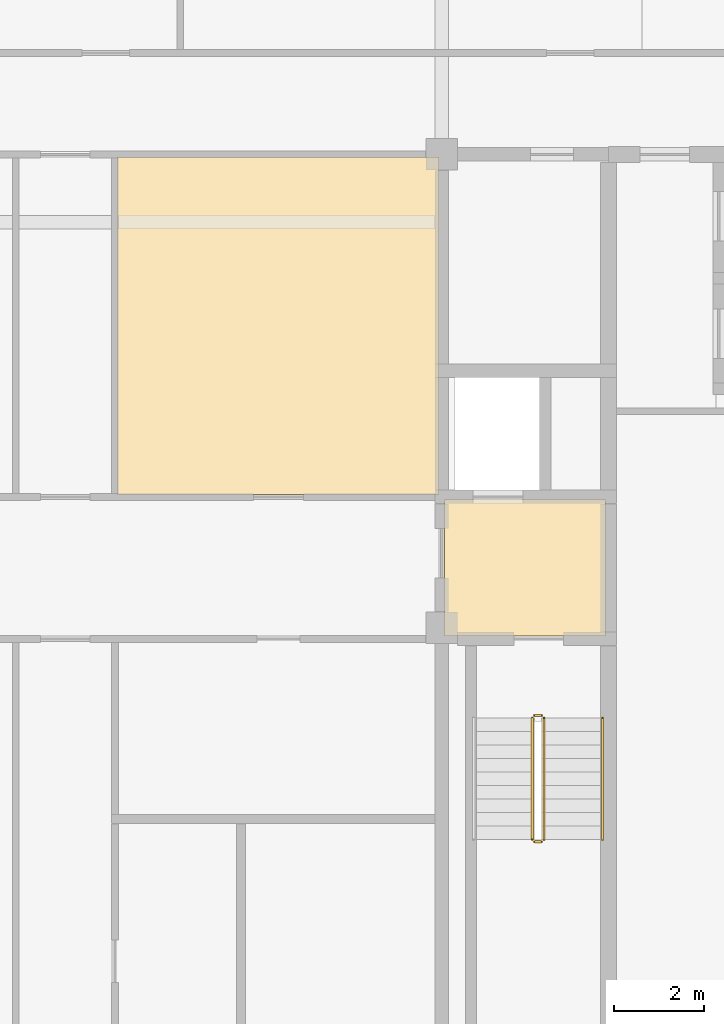
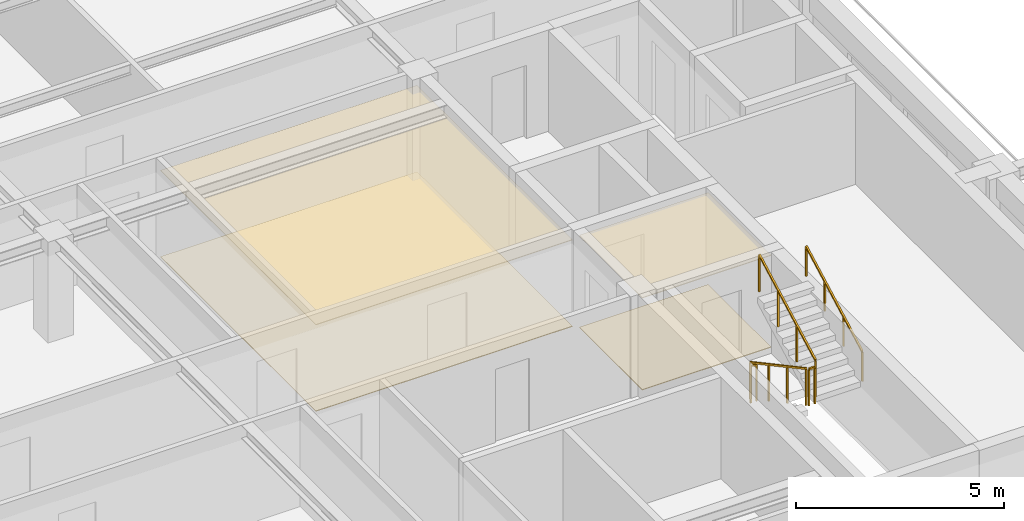
# One storey, part 10 of 11: 5 railings, 4 coverings.
"""IFC4 building model written with IfcOpenShell, lengths in metres."""

import ifcopenshell
import ifcopenshell.guid

model = None  # the IFC model being written
_history = None  # IfcOwnerHistory: only IFC2X3 demands one
_inside = {}  # id of a spatial element -> (the spatial element, [elements in it])
_under = {}  # id of a project, library or spatial element -> (it, [spatial elements below it])
_declared = {}  # id of a project -> (the project, [libraries it declares])
_typed = {}  # id of a type object -> (the type object, [elements of that type])
_made_of = {}  # id of a material, layer set ... -> (it, [elements and type objects made of it])


def new_model(schema):
    """Start an empty IFC model of exactly this schema.

    Asked for "IFC4X3", IfcOpenShell would pick the latest addendum, in which some entities
    have other attributes; the version numbers below select the first issue.
    IFC2X3 requires an IfcOwnerHistory on every rooted entity: one is made here for all.
    """
    global model, _history
    if schema == "IFC4X3":
        model = ifcopenshell.file(schema_version=(4, 3, 0, 0))
    else:
        model = ifcopenshell.file(schema=schema)
    _inside.clear()
    _under.clear()
    _declared.clear()
    _typed.clear()
    _made_of.clear()
    _history = None
    if model.schema == "IFC2X3":
        org = make("IfcOrganization", Name="unknown")
        user = make(
            "IfcPersonAndOrganization",
            ThePerson=make("IfcPerson", FamilyName="unknown"),
            TheOrganization=org,
        )
        app = make(
            "IfcApplication",
            ApplicationDeveloper=org,
            Version="unknown",
            ApplicationFullName="unknown",
            ApplicationIdentifier="unknown",
        )
        _history = make(
            "IfcOwnerHistory",
            OwningUser=user,
            OwningApplication=app,
            ChangeAction="ADDED",
            CreationDate=0,
        )
    return model


def make(cls, **values):
    """One entity of the class cls with the attributes given. An attribute that is None is left unset."""
    return model.create_entity(
        cls, **{name: value for name, value in values.items() if value is not None}
    )


def rooted(cls, **values):
    """An entity with a GlobalId (a new one), such as an element, a storey or a relation."""
    return make(cls, GlobalId=ifcopenshell.guid.new(), OwnerHistory=_history, **values)


def si_unit(unit_type, name, prefix=None):
    """IfcSIUnit, for example si_unit("LENGTHUNIT", "METRE", prefix="MILLI")."""
    return make("IfcSIUnit", UnitType=unit_type, Prefix=prefix, Name=name)


def assignment(units):
    """IfcUnitAssignment: the units of a project."""
    return None if units is None else make("IfcUnitAssignment", Units=units)


def point(xyz):
    """IfcCartesianPoint."""
    return None if xyz is None else make("IfcCartesianPoint", Coordinates=xyz)


def direction(xyz):
    """IfcDirection."""
    return None if xyz is None else make("IfcDirection", DirectionRatios=xyz)


def frame(location, z_axis=None, x_axis=None):
    """IfcAxis2Placement3D, a coordinate frame: its origin and axes. An axis left out is left unset."""
    return make(
        "IfcAxis2Placement3D",
        Location=point(location),
        Axis=direction(z_axis),
        RefDirection=direction(x_axis),
    )


def frame_2d(location, x_axis=None):
    """IfcAxis2Placement2D, a coordinate frame in the plane: its origin and x axis."""
    return make(
        "IfcAxis2Placement2D", Location=point(location), RefDirection=direction(x_axis)
    )


def origin():
    """The frame at (0, 0, 0) with its axes left unset."""
    return frame((0.0, 0.0, 0.0))


def origin_2d():
    """The frame at (0, 0) in the plane with its x axis left unset."""
    return frame_2d((0.0, 0.0))


def place(relative_to, where):
    """IfcLocalPlacement: puts the frame where relative to a parent placement (None: the world)."""
    return make(
        "IfcLocalPlacement", PlacementRelTo=relative_to, RelativePlacement=where
    )


def context(
    kind, dimensions, precision=None, world=None, true_north=None, identifier=None
):
    """IfcGeometricRepresentationContext, for example the 3D "Model" context."""
    return make(
        "IfcGeometricRepresentationContext",
        ContextIdentifier=identifier,
        ContextType=kind,
        CoordinateSpaceDimension=dimensions,
        Precision=precision,
        WorldCoordinateSystem=world,
        TrueNorth=true_north,
    )


def subcontext(parent, identifier, kind, view, scale=None):
    """IfcGeometricRepresentationSubContext, for example "Body" below "Model"."""
    return make(
        "IfcGeometricRepresentationSubContext",
        ContextIdentifier=identifier,
        ContextType=kind,
        ParentContext=parent,
        TargetScale=scale,
        TargetView=view,
    )


def project(units=None, contexts=None):
    """IfcProject with its units and contexts."""
    return rooted(
        "IfcProject",
        Name="project",
        RepresentationContexts=contexts,
        UnitsInContext=assignment(units),
    )


def spatial(cls, under=None, at=None, **own):
    """A site, building, storey or space (cls), placed at a placement, below another one or the project."""
    s = rooted(cls, ObjectPlacement=at, **own)
    if under is not None:
        _under.setdefault(under.id(), (under, []))[1].append(s)
    return s


def polyline(points):
    """IfcPolyline through the points."""
    return make("IfcPolyline", Points=[point(p) for p in points])


def profile(cls, at=None, kind="AREA", **sizes):
    """A parametric profile (cls). Its sizes go by their IFC names, for example OverallWidth=200.0."""
    return make(cls, ProfileType=kind, Position=at, **sizes)


def rectangle(**sizes):
    """IfcRectangleProfileDef."""
    return profile("IfcRectangleProfileDef", **sizes)


def outline(outer, holes=None, kind="AREA"):
    """IfcArbitraryClosedProfileDef: a profile drawn as a closed curve; with holes, ...WithVoids."""
    if holes is None:
        return make("IfcArbitraryClosedProfileDef", ProfileType=kind, OuterCurve=outer)
    return make(
        "IfcArbitraryProfileDefWithVoids",
        ProfileType=kind,
        OuterCurve=outer,
        InnerCurves=holes,
    )


def extrude(swept, where, along, depth):
    """IfcExtrudedAreaSolid: the profile swept, set in the frame where, extruded along a direction by depth."""
    return make(
        "IfcExtrudedAreaSolid",
        SweptArea=swept,
        Position=where,
        ExtrudedDirection=direction(along),
        Depth=depth,
    )


def shape(context_of_items, identifier, shape_type, items):
    """IfcShapeRepresentation: the items that make up one representation, for example the "Body"."""
    return make(
        "IfcShapeRepresentation",
        ContextOfItems=context_of_items,
        RepresentationIdentifier=identifier,
        RepresentationType=shape_type,
        Items=items,
    )


def material(Name=None, Category=None):
    """IfcMaterial."""
    return make("IfcMaterial", Name=Name, Category=Category)


def layer(
    of_material, thickness, ventilated=None, Name=None, Category=None, Priority=None
):
    """IfcMaterialLayer: one layer of a wall or slab, of a material (None: an air gap)."""
    return make(
        "IfcMaterialLayer",
        Material=of_material,
        LayerThickness=thickness,
        IsVentilated=ventilated,
        Name=Name,
        Category=Category,
        Priority=Priority,
    )


def layer_set(layers, Name=None):
    """IfcMaterialLayerSet."""
    return make("IfcMaterialLayerSet", MaterialLayers=layers, LayerSetName=Name)


def made_of(thing, what):
    """Note that an element or type object is made of a material, layer set ...; save() writes the relation."""
    if what is not None:
        _made_of.setdefault(what.id(), (what, []))[1].append(thing)
    return thing


def type_object(cls, material=None, **own):
    """A type object (cls), such as IfcWallType, which elements share."""
    return made_of(rooted(cls, **own), material)


def element(
    cls,
    number,
    at=None,
    inside=None,
    cuts=None,
    type_object=None,
    material=None,
    context=None,
    identifier="Body",
    shape_type=None,
    held_by="IfcProductDefinitionShape",
    body=None,
    shapes=None,
    **own,
):
    """One element of the class cls, such as IfcWall. Its Tag is "e" and its number.

    at: its placement. inside: the storey or other place that contains it. cuts: it is an
    opening in that element (IfcRelVoidsElement). A single representation is given by context,
    identifier, shape_type and body (its items); several are given by shapes. held_by: the class
    of the entity that holds the representations. save() writes the other relations.
    """
    e = rooted(cls, Tag="e%d" % number, ObjectPlacement=at, **own)
    if body is not None:
        shapes = [shape(context, identifier, shape_type, body)]
    if shapes is not None:
        e.Representation = make(held_by, Representations=shapes)
    if inside is not None:
        _inside.setdefault(inside.id(), (inside, []))[1].append(e)
    if cuts is not None:
        rooted(
            "IfcRelVoidsElement", RelatingBuildingElement=cuts, RelatedOpeningElement=e
        )
    if type_object is not None:
        _typed.setdefault(type_object.id(), (type_object, []))[1].append(e)
    return made_of(e, material)


def aggregate(whole, parts):
    """IfcRelAggregates: a whole, such as a stair, and the parts it consists of."""
    return rooted("IfcRelAggregates", RelatingObject=whole, RelatedObjects=parts)


def save(model, path):
    """Write the relations noted so far, then the file.

    IfcRelAggregates (storeys below a building ...), IfcRelContainedInSpatialStructure (elements
    in a storey), IfcRelDefinesByType, IfcRelAssociatesMaterial and IfcRelDeclares: one each for
    every whole, place, type object, material and project.
    """
    for whole, parts in _under.values():
        aggregate(whole, parts)
    for where, things in _inside.values():
        rooted(
            "IfcRelContainedInSpatialStructure",
            RelatedElements=things,
            RelatingStructure=where,
        )
    for kind, things in _typed.values():
        rooted("IfcRelDefinesByType", RelatedObjects=things, RelatingType=kind)
    for what, things in _made_of.values():
        rooted("IfcRelAssociatesMaterial", RelatedObjects=things, RelatingMaterial=what)
    for by, libraries in _declared.values():
        rooted("IfcRelDeclares", RelatingContext=by, RelatedDefinitions=libraries)
    model.write(path)


model = new_model("IFC4")

# Units and contexts
model_context = context("Model", 3, precision=1e-05, world=origin(), true_north=direction((0.0, 1.0)))
body_context = subcontext(model_context, "Body", "Model", "MODEL_VIEW")
ifc_project = project(units=[si_unit("LENGTHUNIT", "METRE"), si_unit("AREAUNIT", "SQUARE_METRE"), si_unit("VOLUMEUNIT", "CUBIC_METRE"), si_unit("PLANEANGLEUNIT", "RADIAN"), si_unit("MASSUNIT", "GRAM", prefix="KILO")], contexts=[model_context])

# Site, building, storey
site_placement = place(None, origin())
site = spatial("IfcSite", under=ifc_project, at=site_placement, CompositionType="ELEMENT")
building_placement = place(site_placement, origin())
building = spatial("IfcBuilding", under=site, at=building_placement, Name="Zulmaris Gate Convention Tower", CompositionType="ELEMENT")
storey_placement = place(building_placement, frame((0.0, 0.0, 264.119873046875)))
storey = spatial("IfcBuildingStorey", under=building, at=storey_placement, Name="L70", CompositionType="ELEMENT", Elevation=264.119873046875)

# Coverings
ifc_material_1 = material(Name="Mineral Fibre Acoustic Ceiling Tile")
ifc_layer_1 = layer(ifc_material_1, 0.02001953125, Name="Mineral Fibre Acoustic Ceiling Tile")
ifc_layer_set_1 = layer_set([ifc_layer_1], Name="Mineral Fibre Acoustic Ceiling Tile")
covering_type_1 = type_object("IfcCoveringType", Name="CLG-ACOUSTIC-600", PredefinedType="CEILING", material=ifc_layer_set_1)
covering_1_placement = place(storey_placement, frame((0.0, 0.0, 2.7001953125)))
element("IfcCovering", 1, at=covering_1_placement, inside=storey, type_object=covering_type_1, Name="CLG-L70-R08", PredefinedType="CEILING", context=body_context, shape_type="SweptSolid", body=[
    extrude(outline(polyline([(11.06005859375, -0.18994140625), (14.639892578125, -0.18994140625), (14.639892578125, 2.840087890625), (11.06005859375, 2.840087890625), (11.06005859375, -0.18994140625)])), origin(), (0.0, 0.0, 1.0), 0.02001953125),
])
covering_2_placement = place(storey_placement, frame((0.0, 0.0, 2.538330078125)))
element("IfcCovering", 2, at=covering_2_placement, inside=storey, type_object=covering_type_1, Name="CLG-L70-R37", PredefinedType="CEILING", context=body_context, shape_type="SweptSolid", body=[
    extrude(outline(polyline([(3.81005859375, 2.9599609375), (10.93994140625, 2.9599609375), (10.93994140625, 10.43994140625), (3.81005859375, 10.43994140625), (3.81005859375, 2.9599609375)])), origin(), (0.0, 0.0, 1.0), 0.019775390625),
])
ifc_material_2 = material(Name="Woven Acoustic Wool Carpet Tile")
ifc_layer_2 = layer(ifc_material_2, 0.02001953125, Name="Woven Acoustic Wool Carpet Tile")
ifc_layer_set_2 = layer_set([ifc_layer_2], Name="Woven Acoustic Wool Carpet Tile")
covering_type_2 = type_object("IfcCoveringType", Name="FLR-CARPET-12", PredefinedType="FLOORING", material=ifc_layer_set_2)
covering_3_placement = place(storey_placement, origin())
element("IfcCovering", 3, at=covering_3_placement, inside=storey, type_object=covering_type_2, Name="FLR-L70-R08", PredefinedType="FLOORING", context=body_context, shape_type="SweptSolid", body=[
    extrude(outline(polyline([(11.06005859375, -0.18994140625), (14.639892578125, -0.18994140625), (14.639892578125, 2.840087890625), (11.06005859375, 2.840087890625), (11.06005859375, -0.18994140625)])), origin(), (0.0, 0.0, 1.0), 0.02001953125),
])
covering_4_placement = place(storey_placement, origin())
element("IfcCovering", 4, at=covering_4_placement, inside=storey, type_object=covering_type_2, Name="FLR-L70-R37", PredefinedType="FLOORING", context=body_context, shape_type="SweptSolid", body=[
    extrude(outline(polyline([(3.81005859375, 2.9599609375), (10.93994140625, 2.9599609375), (10.93994140625, 10.43994140625), (3.81005859375, 10.43994140625), (3.81005859375, 2.9599609375)])), origin(), (0.0, 0.0, 1.0), 0.02001953125),
])

# Railings
ifc_material_3 = material(Name="Painted Galvanised Steel", Category="steel")
railing_type_1 = type_object("IfcRailingType", Name="RL-STG-1150", PredefinedType="GUARDRAIL", material=ifc_material_3)
railing_1_placement = place(storey_placement, frame((13.010009765625, -2.0, 0.16162109375)))
element("IfcRailing", 5, at=railing_1_placement, inside=storey, type_object=railing_type_1, Name="L70 ST-2 stair guard 1", PredefinedType="GUARDRAIL", context=body_context, shape_type="SweptSolid", body=[
    extrude(rectangle(XDim=0.048095703125, YDim=0.048095703125, at=origin_2d()), frame((0.0, 0.0, 1.076171875), z_axis=(0.0, -0.880499220447, 0.474047595492), x_axis=(1.0, 0.0, 0.0)), (0.0, 0.0, 1.0), 3.06640625),
    extrude(rectangle(XDim=0.0419921875, YDim=0.0419921875, at=origin_2d()), origin(), (0.0, 0.0, 1.0), 1.052001953125),
    extrude(rectangle(XDim=0.0419921875, YDim=0.0419921875, at=origin_2d()), frame((0.0, -0.89990234375, 0.484619140625)), (0.0, 0.0, 1.0), 1.052001953125),
    extrude(rectangle(XDim=0.0419921875, YDim=0.0419921875, at=origin_2d()), frame((0.0, -1.800048828125, 0.968994140625)), (0.0, 0.0, 1.0), 1.052001953125),
    extrude(rectangle(XDim=0.0419921875, YDim=0.0419921875, at=origin_2d()), frame((0.0, -2.699951171875, 1.45361328125)), (0.0, 0.0, 1.0), 1.052001953125),
])
railing_2_placement = place(storey_placement, frame((13.06005859375, -4.75, 1.615234375)))
element("IfcRailing", 6, at=railing_2_placement, inside=storey, type_object=railing_type_1, Name="L70 ST-2 stair guard 2", PredefinedType="GUARDRAIL", context=body_context, shape_type="SweptSolid", body=[
    extrude(rectangle(XDim=0.048095703125, YDim=0.048095703125, at=origin_2d()), frame((0.0, 0.0, 1.076171875), z_axis=(1.0, 0.0, 0.0), x_axis=(0.0, 1.0, 0.0)), (0.0, 0.0, 1.0), 0.159912109375),
    extrude(rectangle(XDim=0.0419921875, YDim=0.0419921875, at=origin_2d()), origin(), (0.0, 0.0, 1.0), 1.052001953125),
    extrude(rectangle(XDim=0.0419921875, YDim=0.0419921875, at=origin_2d()), frame((0.159912109375, 0.0, 0.0)), (0.0, 0.0, 1.0), 1.052001953125),
])
railing_3_placement = place(storey_placement, frame((13.27001953125, -4.699951171875, 1.776611328125)))
element("IfcRailing", 7, at=railing_3_placement, inside=storey, type_object=railing_type_1, Name="L70 ST-2 stair guard 3", PredefinedType="GUARDRAIL", context=body_context, shape_type="SweptSolid", body=[
    extrude(rectangle(XDim=0.048095703125, YDim=0.048095703125, at=origin_2d()), frame((0.0, 0.0, 1.076171875), z_axis=(0.0, 0.880499220447, 0.474047595492), x_axis=(-1.0, 0.0, 0.0)), (0.0, 0.0, 1.0), 3.06640625),
    extrude(rectangle(XDim=0.0419921875, YDim=0.0419921875, at=origin_2d()), origin(), (0.0, 0.0, 1.0), 1.052001953125),
    extrude(rectangle(XDim=0.0419921875, YDim=0.0419921875, at=origin_2d()), frame((0.0, 0.89990234375, 0.484619140625)), (0.0, 0.0, 1.0), 1.052001953125),
    extrude(rectangle(XDim=0.0419921875, YDim=0.0419921875, at=origin_2d()), frame((0.0, 1.800048828125, 0.968994140625)), (0.0, 0.0, 1.0), 1.052001953125),
    extrude(rectangle(XDim=0.0419921875, YDim=0.0419921875, at=origin_2d()), frame((0.0, 2.699951171875, 1.45361328125)), (0.0, 0.0, 1.0), 1.052001953125),
])
railing_4_placement = place(storey_placement, frame((13.06005859375, -1.949951171875, 0.0)))
element("IfcRailing", 8, at=railing_4_placement, inside=storey, type_object=railing_type_1, Name="L70 ST-2 stair guard 4", PredefinedType="GUARDRAIL", context=body_context, shape_type="SweptSolid", body=[
    extrude(rectangle(XDim=0.048095703125, YDim=0.048095703125, at=origin_2d()), frame((0.0, 0.0, 1.076171875), z_axis=(1.0, 0.0, 0.0), x_axis=(0.0, 1.0, 0.0)), (0.0, 0.0, 1.0), 0.159912109375),
    extrude(rectangle(XDim=0.0419921875, YDim=0.0419921875, at=origin_2d()), origin(), (0.0, 0.0, 1.0), 1.052001953125),
    extrude(rectangle(XDim=0.0419921875, YDim=0.0419921875, at=origin_2d()), frame((0.159912109375, 0.0, 0.0)), (0.0, 0.0, 1.0), 1.052001953125),
])
ifc_material_4 = material(Name="Brushed Stainless Steel", Category="steel")
railing_type_2 = type_object("IfcRailingType", Name="RL-STH-900", PredefinedType="HANDRAIL", material=ifc_material_4)
railing_5_placement = place(storey_placement, frame((14.570068359375, -4.699951171875, 1.776611328125)))
element("IfcRailing", 9, at=railing_5_placement, inside=storey, type_object=railing_type_2, Name="L70 ST-2 stair handrail 2", PredefinedType="HANDRAIL", context=body_context, shape_type="SweptSolid", body=[
    extrude(rectangle(XDim=0.048095703125, YDim=0.048095703125, at=origin_2d()), frame((0.0, 0.0, 0.8759765625), z_axis=(0.0, 0.880499220447, 0.474047595492), x_axis=(-1.0, 0.0, 0.0)), (0.0, 0.0, 1.0), 3.06640625),
    extrude(rectangle(XDim=0.0419921875, YDim=0.0419921875, at=origin_2d()), origin(), (0.0, 0.0, 1.0), 0.851806640625),
    extrude(rectangle(XDim=0.0419921875, YDim=0.0419921875, at=origin_2d()), frame((0.0, 0.89990234375, 0.484619140625)), (0.0, 0.0, 1.0), 0.851806640625),
    extrude(rectangle(XDim=0.0419921875, YDim=0.0419921875, at=origin_2d()), frame((0.0, 1.800048828125, 0.968994140625)), (0.0, 0.0, 1.0), 0.851806640625),
    extrude(rectangle(XDim=0.0419921875, YDim=0.0419921875, at=origin_2d()), frame((0.0, 2.699951171875, 1.45361328125)), (0.0, 0.0, 1.0), 0.851806640625),
])

save(model, "model.ifc")
